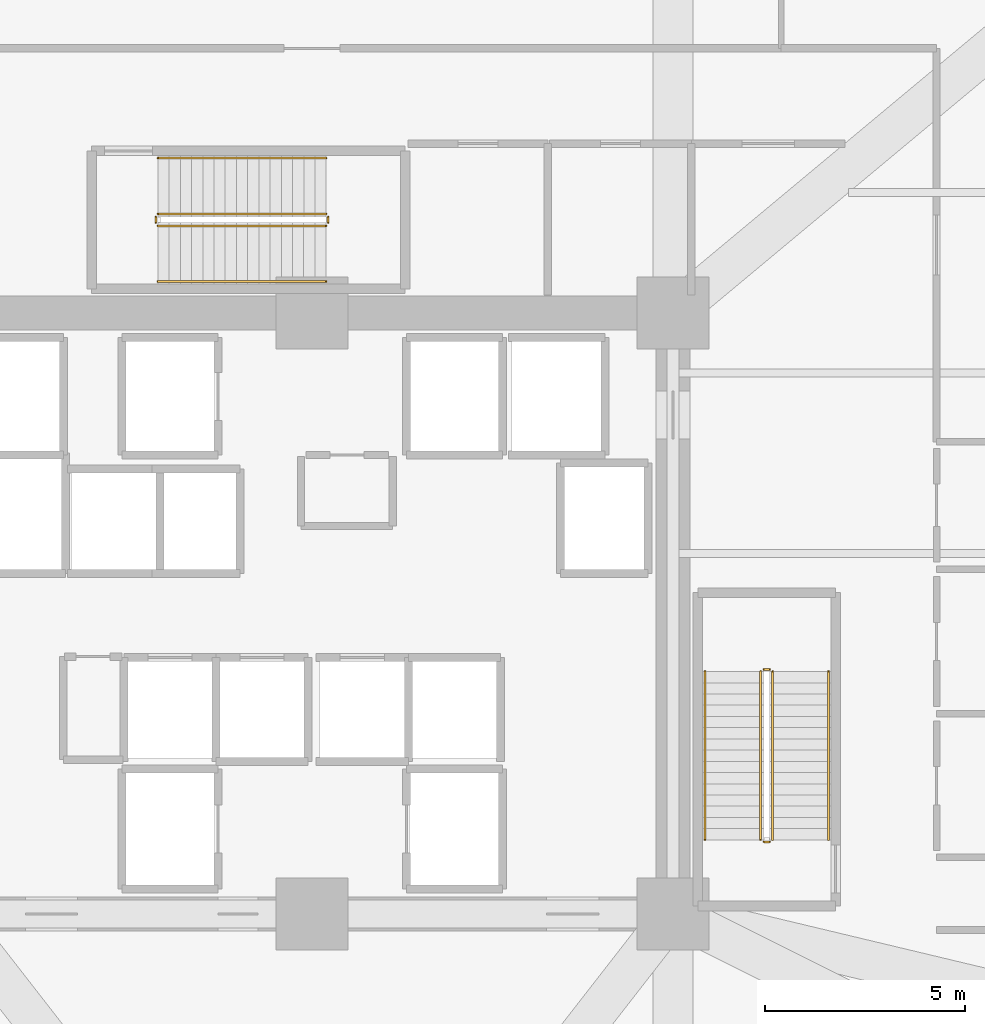
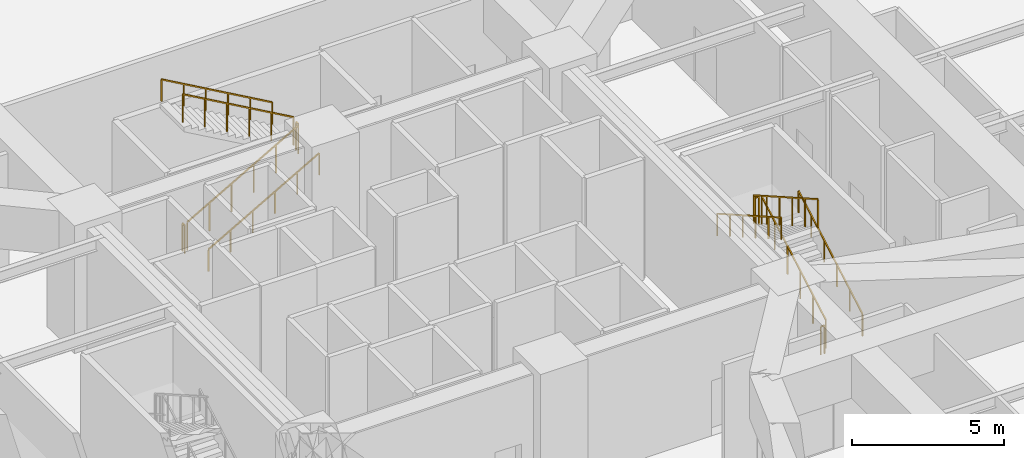
# One storey, part 13 of 14: 12 railings.
"""IFC4 building model written with IfcOpenShell, lengths in metres."""

from ifc_helpers import new_model, si_unit, direction, frame, origin, origin_2d, place, context, subcontext, project, spatial, rectangle, extrude, material, type_object, element, save


model = new_model("IFC4")

# Units and contexts
model_context = context("Model", 3, precision=1e-05, world=origin(), true_north=direction((0.0, 1.0)))
body_context = subcontext(model_context, "Body", "Model", "MODEL_VIEW")
ifc_project = project(units=[si_unit("LENGTHUNIT", "METRE"), si_unit("AREAUNIT", "SQUARE_METRE"), si_unit("VOLUMEUNIT", "CUBIC_METRE"), si_unit("PLANEANGLEUNIT", "RADIAN"), si_unit("MASSUNIT", "GRAM", prefix="KILO")], contexts=[model_context])

# Site, building, storey
site_placement = place(None, origin())
site = spatial("IfcSite", under=ifc_project, at=site_placement, CompositionType="ELEMENT")
building_placement = place(site_placement, origin())
building = spatial("IfcBuilding", under=site, at=building_placement, Name="Liaohun Quay Tower", CompositionType="ELEMENT")
storey_placement = place(building_placement, frame((0.0, 0.0, 23.39990234375)))
storey = spatial("IfcBuildingStorey", under=building, at=storey_placement, Name="L06", CompositionType="ELEMENT", Elevation=23.39990234375)

# Railings
ifc_material_1 = material(Name="Painted tubular steel", Category="steel")
railing_type_1 = type_object("IfcRailingType", Name="RLG-GUARD-STR", PredefinedType="GUARDRAIL", material=ifc_material_1)
railing_1_placement = place(storey_placement, frame((71.489990234375, 48.35009765625, 0.159423828125)))
element("IfcRailing", 1, at=railing_1_placement, inside=storey, type_object=railing_type_1, Name="L06 ST-2 stair guard 1", PredefinedType="GUARDRAIL", context=body_context, shape_type="SweptSolid", body=[
    extrude(rectangle(XDim=0.048095703125, YDim=0.048095703125, at=origin_2d()), frame((0.0, 0.0, 1.1259765625), z_axis=(0.0, 0.869075089623, 0.494680188199), x_axis=(-1.0, 0.0, 0.0)), (0.0, 0.0, 1.0), 4.832763671875),
    extrude(rectangle(XDim=0.0419921875, YDim=0.0419921875, at=origin_2d()), origin(), (0.0, 0.0, 1.0), 1.101806640625),
    extrude(rectangle(XDim=0.0419921875, YDim=0.0419921875, at=origin_2d()), frame((0.0, 0.840087890625, 0.47802734375)), (0.0, 0.0, 1.0), 1.101806640625),
    extrude(rectangle(XDim=0.0419921875, YDim=0.0419921875, at=origin_2d()), frame((0.0, 1.679931640625, 0.956298828125)), (0.0, 0.0, 1.0), 1.101806640625),
    extrude(rectangle(XDim=0.0419921875, YDim=0.0419921875, at=origin_2d()), frame((0.0, 2.52001953125, 1.434326171875)), (0.0, 0.0, 1.0), 1.101806640625),
    extrude(rectangle(XDim=0.0419921875, YDim=0.0419921875, at=origin_2d()), frame((0.0, 3.35986328125, 1.91259765625)), (0.0, 0.0, 1.0), 1.101806640625),
    extrude(rectangle(XDim=0.0419921875, YDim=0.0419921875, at=origin_2d()), frame((0.0, 4.199951171875, 2.390625)), (0.0, 0.0, 1.0), 1.101806640625),
])
railing_2_placement = place(storey_placement, frame((71.409912109375, 52.60009765625, 2.550048828125)))
element("IfcRailing", 2, at=railing_2_placement, inside=storey, type_object=railing_type_1, Name="L06 ST-2 stair guard 2", PredefinedType="GUARDRAIL", context=body_context, shape_type="SweptSolid", body=[
    extrude(rectangle(XDim=0.048095703125, YDim=0.048095703125, at=origin_2d()), frame((0.0, 0.0, 1.1259765625), z_axis=(-1.0, 0.0, 0.0), x_axis=(0.0, -1.0, 0.0)), (0.0, 0.0, 1.0), 0.139892578125),
    extrude(rectangle(XDim=0.0419921875, YDim=0.0419921875, at=origin_2d()), origin(), (0.0, 0.0, 1.0), 1.101806640625),
    extrude(rectangle(XDim=0.0419921875, YDim=0.0419921875, at=origin_2d()), frame((-0.139892578125, 0.0, 0.0)), (0.0, 0.0, 1.0), 1.101806640625),
])
railing_3_placement = place(storey_placement, frame((71.18994140625, 52.550048828125, 2.70947265625)))
element("IfcRailing", 3, at=railing_3_placement, inside=storey, type_object=railing_type_1, Name="L06 ST-2 stair guard 3", PredefinedType="GUARDRAIL", context=body_context, shape_type="SweptSolid", body=[
    extrude(rectangle(XDim=0.048095703125, YDim=0.048095703125, at=origin_2d()), frame((0.0, 0.0, 1.1259765625), z_axis=(0.0, -0.869075089623, 0.494680188199), x_axis=(1.0, 0.0, 0.0)), (0.0, 0.0, 1.0), 4.832763671875),
    extrude(rectangle(XDim=0.0419921875, YDim=0.0419921875, at=origin_2d()), origin(), (0.0, 0.0, 1.0), 1.101806640625),
    extrude(rectangle(XDim=0.0419921875, YDim=0.0419921875, at=origin_2d()), frame((0.0, -0.840087890625, 0.47802734375)), (0.0, 0.0, 1.0), 1.101806640625),
    extrude(rectangle(XDim=0.0419921875, YDim=0.0419921875, at=origin_2d()), frame((0.0, -1.679931640625, 0.956298828125)), (0.0, 0.0, 1.0), 1.101806640625),
    extrude(rectangle(XDim=0.0419921875, YDim=0.0419921875, at=origin_2d()), frame((0.0, -2.52001953125, 1.434326171875)), (0.0, 0.0, 1.0), 1.101806640625),
    extrude(rectangle(XDim=0.0419921875, YDim=0.0419921875, at=origin_2d()), frame((0.0, -3.35986328125, 1.91259765625)), (0.0, 0.0, 1.0), 1.101806640625),
    extrude(rectangle(XDim=0.0419921875, YDim=0.0419921875, at=origin_2d()), frame((0.0, -4.199951171875, 2.390625)), (0.0, 0.0, 1.0), 1.101806640625),
])
railing_4_placement = place(storey_placement, frame((71.409912109375, 48.300048828125, 0.0)))
element("IfcRailing", 4, at=railing_4_placement, inside=storey, type_object=railing_type_1, Name="L06 ST-2 stair guard 4", PredefinedType="GUARDRAIL", context=body_context, shape_type="SweptSolid", body=[
    extrude(rectangle(XDim=0.048095703125, YDim=0.048095703125, at=origin_2d()), frame((0.0, 0.0, 1.1259765625), z_axis=(-1.0, 0.0, 0.0), x_axis=(0.0, -1.0, 0.0)), (0.0, 0.0, 1.0), 0.139892578125),
    extrude(rectangle(XDim=0.0419921875, YDim=0.0419921875, at=origin_2d()), origin(), (0.0, 0.0, 1.0), 1.101806640625),
    extrude(rectangle(XDim=0.0419921875, YDim=0.0419921875, at=origin_2d()), frame((-0.139892578125, 0.0, 0.0)), (0.0, 0.0, 1.0), 1.101806640625),
])
railing_5_placement = place(storey_placement, frame((56.14990234375, 63.669921875, 0.159423828125)))
element("IfcRailing", 5, at=railing_5_placement, inside=storey, type_object=railing_type_1, Name="L06 ST-3 stair guard 1", PredefinedType="GUARDRAIL", context=body_context, shape_type="SweptSolid", body=[
    extrude(rectangle(XDim=0.048095703125, YDim=0.048095703125, at=origin_2d()), frame((0.0, 0.0, 1.1259765625), z_axis=(0.869087451191, 0.0, 0.494658470243), x_axis=(0.0, 1.0, 0.0)), (0.0, 0.0, 1.0), 4.832763671875),
    extrude(rectangle(XDim=0.0419921875, YDim=0.0419921875, at=origin_2d()), origin(), (0.0, 0.0, 1.0), 1.101806640625),
    extrude(rectangle(XDim=0.0419921875, YDim=0.0419921875, at=origin_2d()), frame((0.840087890625, 0.0, 0.47802734375)), (0.0, 0.0, 1.0), 1.101806640625),
    extrude(rectangle(XDim=0.0419921875, YDim=0.0419921875, at=origin_2d()), frame((1.68017578125, 0.0, 0.956298828125)), (0.0, 0.0, 1.0), 1.101806640625),
    extrude(rectangle(XDim=0.0419921875, YDim=0.0419921875, at=origin_2d()), frame((2.52001953125, 0.0, 1.434326171875)), (0.0, 0.0, 1.0), 1.101806640625),
    extrude(rectangle(XDim=0.0419921875, YDim=0.0419921875, at=origin_2d()), frame((3.360107421875, 0.0, 1.91259765625)), (0.0, 0.0, 1.0), 1.101806640625),
    extrude(rectangle(XDim=0.0419921875, YDim=0.0419921875, at=origin_2d()), frame((4.2001953125, 0.0, 2.390625)), (0.0, 0.0, 1.0), 1.101806640625),
])
railing_6_placement = place(storey_placement, frame((60.39990234375, 63.75, 2.550048828125)))
element("IfcRailing", 6, at=railing_6_placement, inside=storey, type_object=railing_type_1, Name="L06 ST-3 stair guard 2", PredefinedType="GUARDRAIL", context=body_context, shape_type="SweptSolid", body=[
    extrude(rectangle(XDim=0.048095703125, YDim=0.048095703125, at=origin_2d()), frame((0.0, 0.0, 1.1259765625), z_axis=(0.0, 1.0, 0.0), x_axis=(-1.0, 0.0, 0.0)), (0.0, 0.0, 1.0), 0.139892578125),
    extrude(rectangle(XDim=0.0419921875, YDim=0.0419921875, at=origin_2d()), origin(), (0.0, 0.0, 1.0), 1.101806640625),
    extrude(rectangle(XDim=0.0419921875, YDim=0.0419921875, at=origin_2d()), frame((0.0, 0.139892578125, 0.0)), (0.0, 0.0, 1.0), 1.101806640625),
])
railing_7_placement = place(storey_placement, frame((60.35009765625, 63.969970703125, 2.70947265625)))
element("IfcRailing", 7, at=railing_7_placement, inside=storey, type_object=railing_type_1, Name="L06 ST-3 stair guard 3", PredefinedType="GUARDRAIL", context=body_context, shape_type="SweptSolid", body=[
    extrude(rectangle(XDim=0.048095703125, YDim=0.048095703125, at=origin_2d()), frame((0.0, 0.0, 1.1259765625), z_axis=(-0.869087451191, 0.0, 0.494658470243), x_axis=(0.0, -1.0, 0.0)), (0.0, 0.0, 1.0), 4.832763671875),
    extrude(rectangle(XDim=0.0419921875, YDim=0.0419921875, at=origin_2d()), origin(), (0.0, 0.0, 1.0), 1.101806640625),
    extrude(rectangle(XDim=0.0419921875, YDim=0.0419921875, at=origin_2d()), frame((-0.840087890625, 0.0, 0.47802734375)), (0.0, 0.0, 1.0), 1.101806640625),
    extrude(rectangle(XDim=0.0419921875, YDim=0.0419921875, at=origin_2d()), frame((-1.68017578125, 0.0, 0.956298828125)), (0.0, 0.0, 1.0), 1.101806640625),
    extrude(rectangle(XDim=0.0419921875, YDim=0.0419921875, at=origin_2d()), frame((-2.52001953125, 0.0, 1.434326171875)), (0.0, 0.0, 1.0), 1.101806640625),
    extrude(rectangle(XDim=0.0419921875, YDim=0.0419921875, at=origin_2d()), frame((-3.360107421875, 0.0, 1.91259765625)), (0.0, 0.0, 1.0), 1.101806640625),
    extrude(rectangle(XDim=0.0419921875, YDim=0.0419921875, at=origin_2d()), frame((-4.2001953125, 0.0, 2.390625)), (0.0, 0.0, 1.0), 1.101806640625),
])
railing_8_placement = place(storey_placement, frame((56.10009765625, 63.75, 0.0)))
element("IfcRailing", 8, at=railing_8_placement, inside=storey, type_object=railing_type_1, Name="L06 ST-3 stair guard 4", PredefinedType="GUARDRAIL", context=body_context, shape_type="SweptSolid", body=[
    extrude(rectangle(XDim=0.048095703125, YDim=0.048095703125, at=origin_2d()), frame((0.0, 0.0, 1.1259765625), z_axis=(0.0, 1.0, 0.0), x_axis=(-1.0, 0.0, 0.0)), (0.0, 0.0, 1.0), 0.139892578125),
    extrude(rectangle(XDim=0.0419921875, YDim=0.0419921875, at=origin_2d()), origin(), (0.0, 0.0, 1.0), 1.101806640625),
    extrude(rectangle(XDim=0.0419921875, YDim=0.0419921875, at=origin_2d()), frame((0.0, 0.139892578125, 0.0)), (0.0, 0.0, 1.0), 1.101806640625),
])
ifc_material_2 = material(Name="Brushed stainless steel", Category="steel")
railing_type_2 = type_object("IfcRailingType", Name="RLG-HND-STR", PredefinedType="HANDRAIL", material=ifc_material_2)
railing_9_placement = place(storey_placement, frame((72.8798828125, 48.35009765625, 0.159423828125)))
element("IfcRailing", 9, at=railing_9_placement, inside=storey, type_object=railing_type_2, Name="L06 ST-2 stair handrail 1", PredefinedType="HANDRAIL", context=body_context, shape_type="SweptSolid", body=[
    extrude(rectangle(XDim=0.048095703125, YDim=0.048095703125, at=origin_2d()), frame((0.0, 0.0, 0.8759765625), z_axis=(0.0, 0.869075089623, 0.494680188199), x_axis=(-1.0, 0.0, 0.0)), (0.0, 0.0, 1.0), 4.832763671875),
    extrude(rectangle(XDim=0.0419921875, YDim=0.0419921875, at=origin_2d()), origin(), (0.0, 0.0, 1.0), 0.851806640625),
    extrude(rectangle(XDim=0.0419921875, YDim=0.0419921875, at=origin_2d()), frame((0.0, 0.840087890625, 0.47802734375)), (0.0, 0.0, 1.0), 0.851806640625),
    extrude(rectangle(XDim=0.0419921875, YDim=0.0419921875, at=origin_2d()), frame((0.0, 1.679931640625, 0.956298828125)), (0.0, 0.0, 1.0), 0.851806640625),
    extrude(rectangle(XDim=0.0419921875, YDim=0.0419921875, at=origin_2d()), frame((0.0, 2.52001953125, 1.434326171875)), (0.0, 0.0, 1.0), 0.851806640625),
    extrude(rectangle(XDim=0.0419921875, YDim=0.0419921875, at=origin_2d()), frame((0.0, 3.35986328125, 1.91259765625)), (0.0, 0.0, 1.0), 0.851806640625),
    extrude(rectangle(XDim=0.0419921875, YDim=0.0419921875, at=origin_2d()), frame((0.0, 4.199951171875, 2.390625)), (0.0, 0.0, 1.0), 0.851806640625),
])
railing_10_placement = place(storey_placement, frame((69.800048828125, 52.550048828125, 2.70947265625)))
element("IfcRailing", 10, at=railing_10_placement, inside=storey, type_object=railing_type_2, Name="L06 ST-2 stair handrail 2", PredefinedType="HANDRAIL", context=body_context, shape_type="SweptSolid", body=[
    extrude(rectangle(XDim=0.048095703125, YDim=0.048095703125, at=origin_2d()), frame((0.0, 0.0, 0.8759765625), z_axis=(0.0, -0.869075089623, 0.494680188199), x_axis=(1.0, 0.0, 0.0)), (0.0, 0.0, 1.0), 4.832763671875),
    extrude(rectangle(XDim=0.0419921875, YDim=0.0419921875, at=origin_2d()), origin(), (0.0, 0.0, 1.0), 0.851806640625),
    extrude(rectangle(XDim=0.0419921875, YDim=0.0419921875, at=origin_2d()), frame((0.0, -0.840087890625, 0.47802734375)), (0.0, 0.0, 1.0), 0.851806640625),
    extrude(rectangle(XDim=0.0419921875, YDim=0.0419921875, at=origin_2d()), frame((0.0, -1.679931640625, 0.956298828125)), (0.0, 0.0, 1.0), 0.851806640625),
    extrude(rectangle(XDim=0.0419921875, YDim=0.0419921875, at=origin_2d()), frame((0.0, -2.52001953125, 1.434326171875)), (0.0, 0.0, 1.0), 0.851806640625),
    extrude(rectangle(XDim=0.0419921875, YDim=0.0419921875, at=origin_2d()), frame((0.0, -3.35986328125, 1.91259765625)), (0.0, 0.0, 1.0), 0.851806640625),
    extrude(rectangle(XDim=0.0419921875, YDim=0.0419921875, at=origin_2d()), frame((0.0, -4.199951171875, 2.390625)), (0.0, 0.0, 1.0), 0.851806640625),
])
railing_11_placement = place(storey_placement, frame((56.14990234375, 62.280029296875, 0.159423828125)))
element("IfcRailing", 11, at=railing_11_placement, inside=storey, type_object=railing_type_2, Name="L06 ST-3 stair handrail 1", PredefinedType="HANDRAIL", context=body_context, shape_type="SweptSolid", body=[
    extrude(rectangle(XDim=0.048095703125, YDim=0.048095703125, at=origin_2d()), frame((0.0, 0.0, 0.8759765625), z_axis=(0.869087451191, 0.0, 0.494658470243), x_axis=(0.0, 1.0, 0.0)), (0.0, 0.0, 1.0), 4.832763671875),
    extrude(rectangle(XDim=0.0419921875, YDim=0.0419921875, at=origin_2d()), origin(), (0.0, 0.0, 1.0), 0.851806640625),
    extrude(rectangle(XDim=0.0419921875, YDim=0.0419921875, at=origin_2d()), frame((0.840087890625, 0.0, 0.47802734375)), (0.0, 0.0, 1.0), 0.851806640625),
    extrude(rectangle(XDim=0.0419921875, YDim=0.0419921875, at=origin_2d()), frame((1.68017578125, 0.0, 0.956298828125)), (0.0, 0.0, 1.0), 0.851806640625),
    extrude(rectangle(XDim=0.0419921875, YDim=0.0419921875, at=origin_2d()), frame((2.52001953125, 0.0, 1.434326171875)), (0.0, 0.0, 1.0), 0.851806640625),
    extrude(rectangle(XDim=0.0419921875, YDim=0.0419921875, at=origin_2d()), frame((3.360107421875, 0.0, 1.91259765625)), (0.0, 0.0, 1.0), 0.851806640625),
    extrude(rectangle(XDim=0.0419921875, YDim=0.0419921875, at=origin_2d()), frame((4.2001953125, 0.0, 2.390625)), (0.0, 0.0, 1.0), 0.851806640625),
])
railing_12_placement = place(storey_placement, frame((60.35009765625, 65.360107421875, 2.70947265625)))
element("IfcRailing", 12, at=railing_12_placement, inside=storey, type_object=railing_type_2, Name="L06 ST-3 stair handrail 2", PredefinedType="HANDRAIL", context=body_context, shape_type="SweptSolid", body=[
    extrude(rectangle(XDim=0.048095703125, YDim=0.048095703125, at=origin_2d()), frame((0.0, 0.0, 0.8759765625), z_axis=(-0.869087451191, 0.0, 0.494658470243), x_axis=(0.0, -1.0, 0.0)), (0.0, 0.0, 1.0), 4.832763671875),
    extrude(rectangle(XDim=0.0419921875, YDim=0.0419921875, at=origin_2d()), origin(), (0.0, 0.0, 1.0), 0.851806640625),
    extrude(rectangle(XDim=0.0419921875, YDim=0.0419921875, at=origin_2d()), frame((-0.840087890625, 0.0, 0.47802734375)), (0.0, 0.0, 1.0), 0.851806640625),
    extrude(rectangle(XDim=0.0419921875, YDim=0.0419921875, at=origin_2d()), frame((-1.68017578125, 0.0, 0.956298828125)), (0.0, 0.0, 1.0), 0.851806640625),
    extrude(rectangle(XDim=0.0419921875, YDim=0.0419921875, at=origin_2d()), frame((-2.52001953125, 0.0, 1.434326171875)), (0.0, 0.0, 1.0), 0.851806640625),
    extrude(rectangle(XDim=0.0419921875, YDim=0.0419921875, at=origin_2d()), frame((-3.360107421875, 0.0, 1.91259765625)), (0.0, 0.0, 1.0), 0.851806640625),
    extrude(rectangle(XDim=0.0419921875, YDim=0.0419921875, at=origin_2d()), frame((-4.2001953125, 0.0, 2.390625)), (0.0, 0.0, 1.0), 0.851806640625),
])

save(model, "model.ifc")
